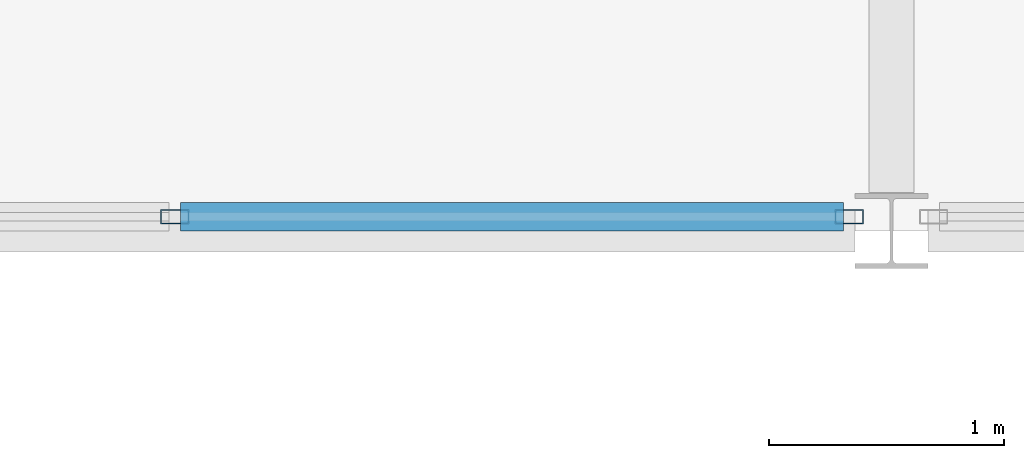
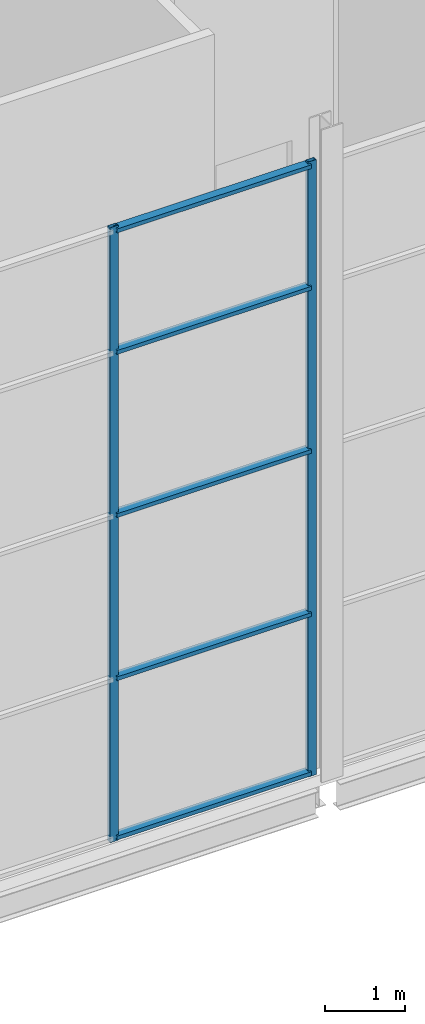
# One storey, part 62 of 111: 7 members, 1 element without a shape of its own.
"""IFC4 building model written with IfcOpenShell, lengths in metres."""

import ifcopenshell
import ifcopenshell.guid

model = None  # the IFC model being written
_history = None  # IfcOwnerHistory: only IFC2X3 demands one
_inside = {}  # id of a spatial element -> (the spatial element, [elements in it])
_under = {}  # id of a project, library or spatial element -> (it, [spatial elements below it])
_declared = {}  # id of a project -> (the project, [libraries it declares])
_typed = {}  # id of a type object -> (the type object, [elements of that type])
_made_of = {}  # id of a material, layer set ... -> (it, [elements and type objects made of it])


def new_model(schema):
    """Start an empty IFC model of exactly this schema.

    Asked for "IFC4X3", IfcOpenShell would pick the latest addendum, in which some entities
    have other attributes; the version numbers below select the first issue.
    IFC2X3 requires an IfcOwnerHistory on every rooted entity: one is made here for all.
    """
    global model, _history
    if schema == "IFC4X3":
        model = ifcopenshell.file(schema_version=(4, 3, 0, 0))
    else:
        model = ifcopenshell.file(schema=schema)
    _inside.clear()
    _under.clear()
    _declared.clear()
    _typed.clear()
    _made_of.clear()
    _history = None
    if model.schema == "IFC2X3":
        org = make("IfcOrganization", Name="unknown")
        user = make(
            "IfcPersonAndOrganization",
            ThePerson=make("IfcPerson", FamilyName="unknown"),
            TheOrganization=org,
        )
        app = make(
            "IfcApplication",
            ApplicationDeveloper=org,
            Version="unknown",
            ApplicationFullName="unknown",
            ApplicationIdentifier="unknown",
        )
        _history = make(
            "IfcOwnerHistory",
            OwningUser=user,
            OwningApplication=app,
            ChangeAction="ADDED",
            CreationDate=0,
        )
    return model


def make(cls, **values):
    """One entity of the class cls with the attributes given. An attribute that is None is left unset."""
    return model.create_entity(
        cls, **{name: value for name, value in values.items() if value is not None}
    )


def rooted(cls, **values):
    """An entity with a GlobalId (a new one), such as an element, a storey or a relation."""
    return make(cls, GlobalId=ifcopenshell.guid.new(), OwnerHistory=_history, **values)


def si_unit(unit_type, name, prefix=None):
    """IfcSIUnit, for example si_unit("LENGTHUNIT", "METRE", prefix="MILLI")."""
    return make("IfcSIUnit", UnitType=unit_type, Prefix=prefix, Name=name)


def assignment(units):
    """IfcUnitAssignment: the units of a project."""
    return None if units is None else make("IfcUnitAssignment", Units=units)


def point(xyz):
    """IfcCartesianPoint."""
    return None if xyz is None else make("IfcCartesianPoint", Coordinates=xyz)


def direction(xyz):
    """IfcDirection."""
    return None if xyz is None else make("IfcDirection", DirectionRatios=xyz)


def frame(location, z_axis=None, x_axis=None):
    """IfcAxis2Placement3D, a coordinate frame: its origin and axes. An axis left out is left unset."""
    return make(
        "IfcAxis2Placement3D",
        Location=point(location),
        Axis=direction(z_axis),
        RefDirection=direction(x_axis),
    )


def frame_2d(location, x_axis=None):
    """IfcAxis2Placement2D, a coordinate frame in the plane: its origin and x axis."""
    return make(
        "IfcAxis2Placement2D", Location=point(location), RefDirection=direction(x_axis)
    )


def origin():
    """The frame at (0, 0, 0) with its axes left unset."""
    return frame((0.0, 0.0, 0.0))


def origin_2d():
    """The frame at (0, 0) in the plane with its x axis left unset."""
    return frame_2d((0.0, 0.0))


def place(relative_to, where):
    """IfcLocalPlacement: puts the frame where relative to a parent placement (None: the world)."""
    return make(
        "IfcLocalPlacement", PlacementRelTo=relative_to, RelativePlacement=where
    )


def context(
    kind, dimensions, precision=None, world=None, true_north=None, identifier=None
):
    """IfcGeometricRepresentationContext, for example the 3D "Model" context."""
    return make(
        "IfcGeometricRepresentationContext",
        ContextIdentifier=identifier,
        ContextType=kind,
        CoordinateSpaceDimension=dimensions,
        Precision=precision,
        WorldCoordinateSystem=world,
        TrueNorth=true_north,
    )


def subcontext(parent, identifier, kind, view, scale=None):
    """IfcGeometricRepresentationSubContext, for example "Body" below "Model"."""
    return make(
        "IfcGeometricRepresentationSubContext",
        ContextIdentifier=identifier,
        ContextType=kind,
        ParentContext=parent,
        TargetScale=scale,
        TargetView=view,
    )


def project(units=None, contexts=None):
    """IfcProject with its units and contexts."""
    return rooted(
        "IfcProject",
        Name="project",
        RepresentationContexts=contexts,
        UnitsInContext=assignment(units),
    )


def spatial(cls, under=None, at=None, **own):
    """A site, building, storey or space (cls), placed at a placement, below another one or the project."""
    s = rooted(cls, ObjectPlacement=at, **own)
    if under is not None:
        _under.setdefault(under.id(), (under, []))[1].append(s)
    return s


def profile(cls, at=None, kind="AREA", **sizes):
    """A parametric profile (cls). Its sizes go by their IFC names, for example OverallWidth=200.0."""
    return make(cls, ProfileType=kind, Position=at, **sizes)


def hollow_rectangle(**sizes):
    """IfcRectangleHollowProfileDef."""
    return profile("IfcRectangleHollowProfileDef", **sizes)


def extrude(swept, where, along, depth):
    """IfcExtrudedAreaSolid: the profile swept, set in the frame where, extruded along a direction by depth."""
    return make(
        "IfcExtrudedAreaSolid",
        SweptArea=swept,
        Position=where,
        ExtrudedDirection=direction(along),
        Depth=depth,
    )


def shape(context_of_items, identifier, shape_type, items):
    """IfcShapeRepresentation: the items that make up one representation, for example the "Body"."""
    return make(
        "IfcShapeRepresentation",
        ContextOfItems=context_of_items,
        RepresentationIdentifier=identifier,
        RepresentationType=shape_type,
        Items=items,
    )


def material(Name=None, Category=None):
    """IfcMaterial."""
    return make("IfcMaterial", Name=Name, Category=Category)


def layer(
    of_material, thickness, ventilated=None, Name=None, Category=None, Priority=None
):
    """IfcMaterialLayer: one layer of a wall or slab, of a material (None: an air gap)."""
    return make(
        "IfcMaterialLayer",
        Material=of_material,
        LayerThickness=thickness,
        IsVentilated=ventilated,
        Name=Name,
        Category=Category,
        Priority=Priority,
    )


def layer_set(layers, Name=None):
    """IfcMaterialLayerSet."""
    return make("IfcMaterialLayerSet", MaterialLayers=layers, LayerSetName=Name)


def material_profile(
    of_material, cross_section, Name=None, Category=None, Priority=None
):
    """IfcMaterialProfile: a cross section and its material."""
    return make(
        "IfcMaterialProfile",
        Name=Name,
        Material=of_material,
        Profile=cross_section,
        Priority=Priority,
        Category=Category,
    )


def profile_set(profiles, Name=None, composite=None):
    """IfcMaterialProfileSet."""
    return make(
        "IfcMaterialProfileSet",
        Name=Name,
        MaterialProfiles=profiles,
        CompositeProfile=composite,
    )


def made_of(thing, what):
    """Note that an element or type object is made of a material, layer set ...; save() writes the relation."""
    if what is not None:
        _made_of.setdefault(what.id(), (what, []))[1].append(thing)
    return thing


def type_object(cls, material=None, **own):
    """A type object (cls), such as IfcWallType, which elements share."""
    return made_of(rooted(cls, **own), material)


def element(
    cls,
    number,
    at=None,
    inside=None,
    cuts=None,
    type_object=None,
    material=None,
    context=None,
    identifier="Body",
    shape_type=None,
    held_by="IfcProductDefinitionShape",
    body=None,
    shapes=None,
    **own,
):
    """One element of the class cls, such as IfcWall. Its Tag is "e" and its number.

    at: its placement. inside: the storey or other place that contains it. cuts: it is an
    opening in that element (IfcRelVoidsElement). A single representation is given by context,
    identifier, shape_type and body (its items); several are given by shapes. held_by: the class
    of the entity that holds the representations. save() writes the other relations.
    """
    e = rooted(cls, Tag="e%d" % number, ObjectPlacement=at, **own)
    if body is not None:
        shapes = [shape(context, identifier, shape_type, body)]
    if shapes is not None:
        e.Representation = make(held_by, Representations=shapes)
    if inside is not None:
        _inside.setdefault(inside.id(), (inside, []))[1].append(e)
    if cuts is not None:
        rooted(
            "IfcRelVoidsElement", RelatingBuildingElement=cuts, RelatedOpeningElement=e
        )
    if type_object is not None:
        _typed.setdefault(type_object.id(), (type_object, []))[1].append(e)
    return made_of(e, material)


def aggregate(whole, parts):
    """IfcRelAggregates: a whole, such as a stair, and the parts it consists of."""
    return rooted("IfcRelAggregates", RelatingObject=whole, RelatedObjects=parts)


def save(model, path):
    """Write the relations noted so far, then the file.

    IfcRelAggregates (storeys below a building ...), IfcRelContainedInSpatialStructure (elements
    in a storey), IfcRelDefinesByType, IfcRelAssociatesMaterial and IfcRelDeclares: one each for
    every whole, place, type object, material and project.
    """
    for whole, parts in _under.values():
        aggregate(whole, parts)
    for where, things in _inside.values():
        rooted(
            "IfcRelContainedInSpatialStructure",
            RelatedElements=things,
            RelatingStructure=where,
        )
    for kind, things in _typed.values():
        rooted("IfcRelDefinesByType", RelatedObjects=things, RelatingType=kind)
    for what, things in _made_of.values():
        rooted("IfcRelAssociatesMaterial", RelatedObjects=things, RelatingMaterial=what)
    for by, libraries in _declared.values():
        rooted("IfcRelDeclares", RelatingContext=by, RelatedDefinitions=libraries)
    model.write(path)


model = new_model("IFC4")

# Units and contexts
model_context = context("Model", 3, precision=1e-05, world=origin(), true_north=direction((0.0, 1.0)))
body_context = subcontext(model_context, "Body", "Model", "MODEL_VIEW")
ifc_project = project(units=[si_unit("LENGTHUNIT", "METRE"), si_unit("AREAUNIT", "SQUARE_METRE"), si_unit("VOLUMEUNIT", "CUBIC_METRE"), si_unit("PLANEANGLEUNIT", "RADIAN"), si_unit("MASSUNIT", "GRAM", prefix="KILO")], contexts=[model_context])

# Site, building, storey
site_placement = place(None, origin())
site = spatial("IfcSite", under=ifc_project, at=site_placement, CompositionType="ELEMENT")
building_placement = place(site_placement, origin())
building = spatial("IfcBuilding", under=site, at=building_placement, Name="Shorebreak Coast Museum", CompositionType="ELEMENT")
storey_placement = place(building_placement, frame((0.0, 0.0, 16.0)))
storey = spatial("IfcBuildingStorey", under=building, at=storey_placement, Name="L03", CompositionType="ELEMENT", Elevation=16.0)

# Curtain wall, members
ifc_material_1 = material(Name="Aluminium", Category="aluminium")
ifc_layer = layer(ifc_material_1, 0.1201171875)
ifc_layer_set = layer_set([ifc_layer], Name="Aluminium")
curtain_wall_type = type_object("IfcCurtainWallType", Name="Atrium fire screen", PredefinedType="NOTDEFINED", material=ifc_layer_set)
curtain_wall_placement = place(storey_placement, origin())
curtain_wall = element("IfcCurtainWall", 1, at=curtain_wall_placement, inside=storey, type_object=curtain_wall_type, Name="Atrium screen L03 N 43", PredefinedType="NOTDEFINED")
ifc_material_2 = material(Name="Aluminium", Category="aluminium")
ifc_material_profile_1 = material_profile(ifc_material_2, hollow_rectangle(XDim=0.06005859375, YDim=0.1201171875, WallThickness=0.00341796875, at=origin_2d()), Name="AL 120x60 RHS")
ifc_profile_set_1 = profile_set([ifc_material_profile_1], Name="Aluminium")
member_type_1 = type_object("IfcMemberType", Name="Screen mullion 50 x 120", PredefinedType="MULLION", material=ifc_profile_set_1)
member_1_placement = place(storey_placement, frame((95.948486328125, 81.06005859375, 0.0), z_axis=(0.0, 0.0, 1.0), x_axis=(0.0, 1.0, 0.0)))
member_1 = element("IfcMember", 2, at=member_1_placement, type_object=member_type_1, Name="CW5 mullion 3", PredefinedType="MULLION", context=body_context, shape_type="SweptSolid", body=[
    extrude(hollow_rectangle(XDim=0.06005859375, YDim=0.1201171875, WallThickness=0.00341796875, at=origin_2d()), origin(), (0.0, 0.0, 1.0), 9.42236328125),
])
member_2_placement = place(storey_placement, frame((98.820556640625, 81.06005859375, 0.0), z_axis=(0.0, 0.0, 1.0), x_axis=(0.0, 1.0, 0.0)))
member_2 = element("IfcMember", 3, at=member_2_placement, type_object=member_type_1, Name="CW5 mullion 4", PredefinedType="MULLION", context=body_context, shape_type="SweptSolid", body=[
    extrude(hollow_rectangle(XDim=0.06005859375, YDim=0.1201171875, WallThickness=0.00341796875, at=origin_2d()), origin(), (0.0, 0.0, 1.0), 9.42236328125),
])
ifc_material_3 = material(Name="Aluminium", Category="aluminium")
ifc_material_profile_2 = material_profile(ifc_material_3, hollow_rectangle(XDim=0.1201171875, YDim=0.06005859375, WallThickness=0.00341796875, at=origin_2d()), Name="AL 60x120 RHS")
ifc_profile_set_2 = profile_set([ifc_material_profile_2], Name="Aluminium")
member_type_2 = type_object("IfcMemberType", Name="Screen transom 120 x 50", PredefinedType="USERDEFINED", material=ifc_profile_set_2)
member_3_placement = place(storey_placement, frame((95.973388671875, 81.06005859375, 0.06005859375), z_axis=(1.0, 0.0, 0.0), x_axis=(0.0, 1.0, 0.0)))
member_3 = element("IfcMember", 4, at=member_3_placement, type_object=member_type_2, Name="CW5 transom 3.1", ObjectType="TRANSOM", PredefinedType="USERDEFINED", context=body_context, shape_type="SweptSolid", body=[
    extrude(hollow_rectangle(XDim=0.1201171875, YDim=0.06005859375, WallThickness=0.00341796875, at=origin_2d()), origin(), (0.0, 0.0, 1.0), 2.822021484375),
])
member_4_placement = place(storey_placement, frame((95.973388671875, 81.06005859375, 2.5), z_axis=(1.0, 0.0, 0.0), x_axis=(0.0, 1.0, 0.0)))
member_4 = element("IfcMember", 5, at=member_4_placement, type_object=member_type_2, Name="CW5 transom 3.2", ObjectType="TRANSOM", PredefinedType="USERDEFINED", context=body_context, shape_type="SweptSolid", body=[
    extrude(hollow_rectangle(XDim=0.1201171875, YDim=0.06005859375, WallThickness=0.00341796875, at=origin_2d()), origin(), (0.0, 0.0, 1.0), 2.822021484375),
])
member_5_placement = place(storey_placement, frame((95.973388671875, 81.06005859375, 5.0), z_axis=(1.0, 0.0, 0.0), x_axis=(0.0, 1.0, 0.0)))
member_5 = element("IfcMember", 6, at=member_5_placement, type_object=member_type_2, Name="CW5 transom 3.3", ObjectType="TRANSOM", PredefinedType="USERDEFINED", context=body_context, shape_type="SweptSolid", body=[
    extrude(hollow_rectangle(XDim=0.1201171875, YDim=0.06005859375, WallThickness=0.00341796875, at=origin_2d()), origin(), (0.0, 0.0, 1.0), 2.822021484375),
])
member_6_placement = place(storey_placement, frame((95.973388671875, 81.06005859375, 7.5), z_axis=(1.0, 0.0, 0.0), x_axis=(0.0, 1.0, 0.0)))
member_6 = element("IfcMember", 7, at=member_6_placement, type_object=member_type_2, Name="CW5 transom 3.4", ObjectType="TRANSOM", PredefinedType="USERDEFINED", context=body_context, shape_type="SweptSolid", body=[
    extrude(hollow_rectangle(XDim=0.1201171875, YDim=0.06005859375, WallThickness=0.00341796875, at=origin_2d()), origin(), (0.0, 0.0, 1.0), 2.822021484375),
])
member_7_placement = place(storey_placement, frame((95.973388671875, 81.06005859375, 9.3623046875), z_axis=(1.0, 0.0, 0.0), x_axis=(0.0, 1.0, 0.0)))
member_7 = element("IfcMember", 8, at=member_7_placement, type_object=member_type_2, Name="CW5 transom 3.5", ObjectType="TRANSOM", PredefinedType="USERDEFINED", context=body_context, shape_type="SweptSolid", body=[
    extrude(hollow_rectangle(XDim=0.1201171875, YDim=0.06005859375, WallThickness=0.00341796875, at=origin_2d()), origin(), (0.0, 0.0, 1.0), 2.822021484375),
])
aggregate(curtain_wall, [member_1, member_2, member_3, member_4, member_5, member_6, member_7])

save(model, "model.ifc")
